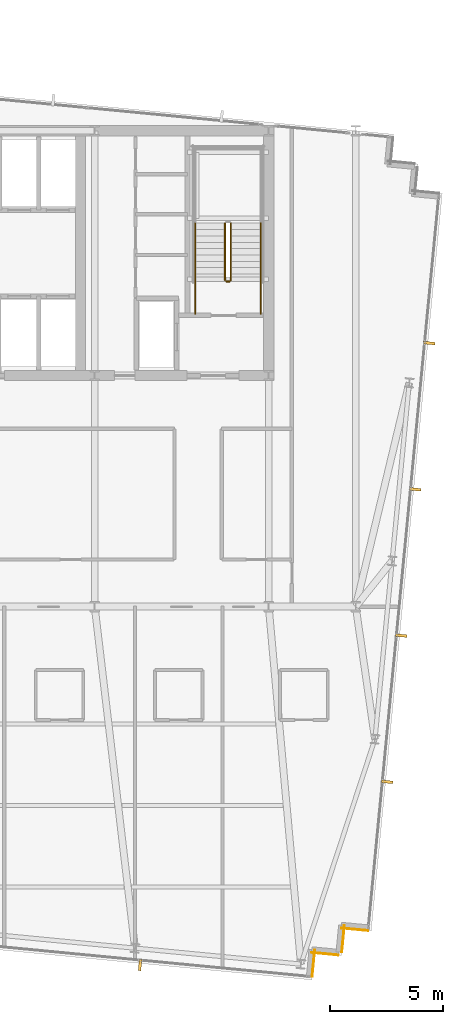
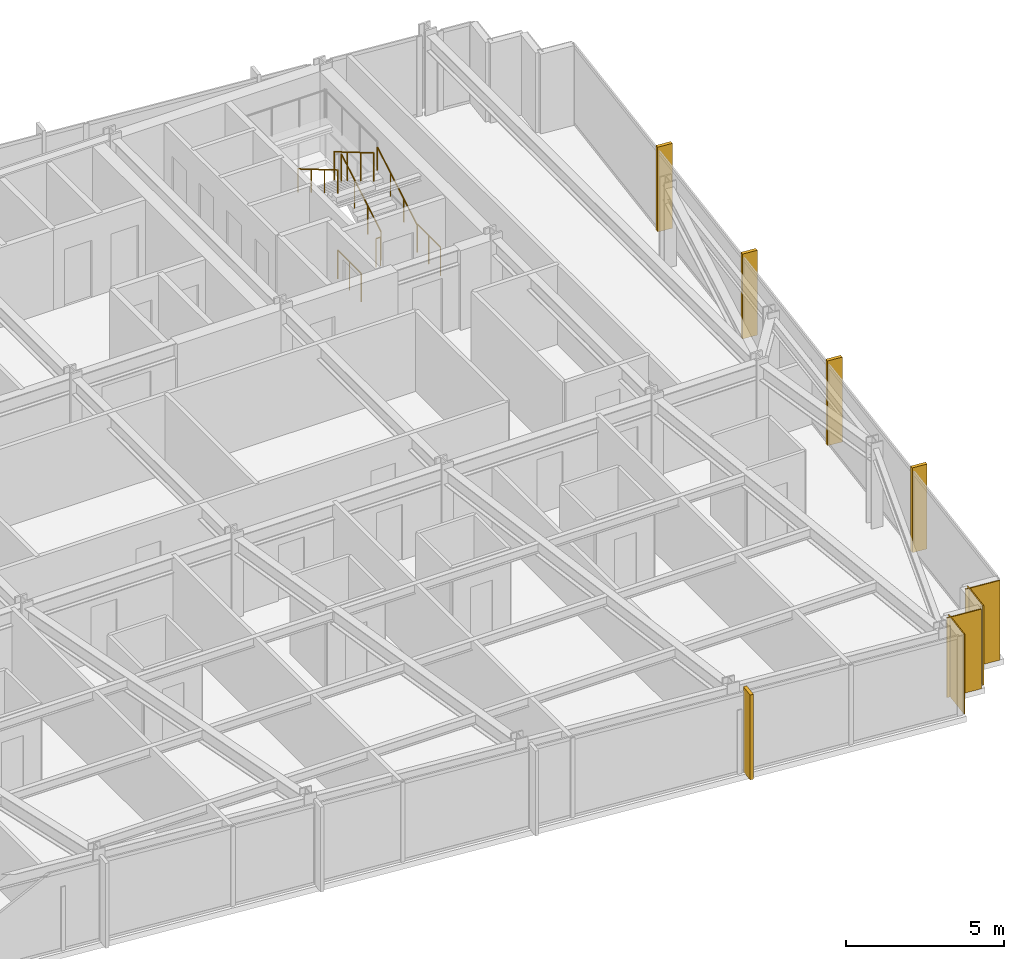
# One storey, part 35 of 37: 7 railings, 5 shading devices, 4 coverings.
"""IFC4 building model written with IfcOpenShell, lengths in metres."""

from ifc_helpers import new_model, si_unit, direction, frame, frame_2d, origin, origin_2d, place, context, subcontext, project, spatial, rectangle, circle, extrude, material, layer, layer_set, type_object, element, save


model = new_model("IFC4")

# Units and contexts
model_context = context("Model", 3, precision=1e-05, world=origin(), true_north=direction((0.0, 1.0)))
body_context = subcontext(model_context, "Body", "Model", "MODEL_VIEW")
ifc_project = project(units=[si_unit("LENGTHUNIT", "METRE"), si_unit("AREAUNIT", "SQUARE_METRE"), si_unit("VOLUMEUNIT", "CUBIC_METRE"), si_unit("PLANEANGLEUNIT", "RADIAN"), si_unit("MASSUNIT", "GRAM", prefix="KILO")], contexts=[model_context])

# Site, building, storey
site_placement = place(None, origin())
site = spatial("IfcSite", under=ifc_project, at=site_placement, CompositionType="ELEMENT")
building_placement = place(site_placement, origin())
building = spatial("IfcBuilding", under=site, at=building_placement, Name="Yelkora Congress Tower", CompositionType="ELEMENT")
storey_placement = place(building_placement, frame((0.0, 0.0, 158.89990234375)))
storey = spatial("IfcBuildingStorey", under=building, at=storey_placement, Name="L43", CompositionType="ELEMENT", Elevation=158.89990234375)

# Coverings
ifc_material_1 = material(Name="Anatolian bush-hammered limestone", Category="masonry")
ifc_layer_1 = layer(ifc_material_1, 0.0400390625)
ifc_layer_set_1 = layer_set([ifc_layer_1], Name="Anatolian bush-hammered limestone")
covering_type = type_object("IfcCoveringType", Name="COV-CLAD-SPANDREL-40", PredefinedType="CLADDING", material=ifc_layer_set_1)
covering_1_placement = place(storey_placement, frame((58.1474609375, 10.898681640625, 0.0), z_axis=(0.0, 0.0, 1.0), x_axis=(-0.995379537303, 0.096018626938, 0.0)))
element("IfcCovering", 1, at=covering_1_placement, inside=storey, type_object=covering_type, Name="L43 Anatolian Limestone Cladding EW-L43-SR16", PredefinedType="CLADDING", context=body_context, shape_type="SweptSolid", body=[
    extrude(rectangle(XDim=1.2001953125, YDim=0.0400390625, at=frame_2d((0.60009765625, 0.0))), origin(), (0.0, 0.0, 1.0), 3.080078125),
])
covering_2_placement = place(storey_placement, frame((57.10009765625, 11.13525390625, 0.0), z_axis=(0.0, 0.0, 1.0), x_axis=(-0.095836473879, -0.995397091755, 0.0)))
element("IfcCovering", 2, at=covering_2_placement, inside=storey, type_object=covering_type, Name="L43 Anatolian Limestone Cladding EW-L43-SR17", PredefinedType="CLADDING", context=body_context, shape_type="SweptSolid", body=[
    extrude(rectangle(XDim=1.199951171875, YDim=0.0400390625, at=frame_2d((0.60009765625, 0.0))), origin(), (0.0, 0.0, 1.0), 3.080078125),
])
for number, where, z_axis, x_axis, name in (
    (3, (56.837890625, 9.8193359375, 0.0), (0.0, 0.0, 1.0), (-0.995398960025, 0.095817067274, 0.0), "L43 Anatolian Limestone Cladding EW-L43-SR18"),
    (4, (55.790771484375, 10.055908203125, 0.0), (0.0, 0.0, 1.0), (-0.095817067274, -0.995398960025, 0.0), "L43 Anatolian Limestone Cladding EW-L43-SR19"),
):
    element("IfcCovering", number, at=place(storey_placement, frame(where, z_axis=z_axis, x_axis=x_axis)), inside=storey, type_object=covering_type, Name=name, PredefinedType="CLADDING", context=body_context, shape_type="SweptSolid", body=[
        extrude(rectangle(XDim=1.2001953125, YDim=0.0400390625, at=frame_2d((0.60009765625, 0.0))), origin(), (0.0, 0.0, 1.0), 3.080078125),
    ])

# Railings
ifc_material_2 = material(Name="Painted galvanised steel stair well guard with vertical infill", Category="steel")
ifc_layer_2 = layer(ifc_material_2, 0.06005859375)
ifc_layer_set_2 = layer_set([ifc_layer_2], Name="Painted galvanised steel stair well guard with vertical infill")
railing_type_1 = type_object("IfcRailingType", Name="RAIL-STAIR-GUARD-1120", PredefinedType="GUARDRAIL", material=ifc_layer_set_2)
railing_1_placement = place(storey_placement, frame((52.090087890625, 39.60009765625, 0.1650390625)))
element("IfcRailing", 5, at=railing_1_placement, inside=storey, type_object=railing_type_1, Name="ST-02 L43 Stair Well Guardrail 1", PredefinedType="GUARDRAIL", context=body_context, shape_type="SweptSolid", body=[
    extrude(circle(Radius=0.02392578125, at=origin_2d()), frame((0.0, 0.0, 1.09619140625), z_axis=(0.0, 0.86152411907, 0.507716645641), x_axis=(-1.0, 0.0, 0.0)), (0.0, 0.0, 1.0), 2.925048828125),
    extrude(circle(Radius=0.02099609375, at=origin_2d()), origin(), (0.0, 0.0, 1.0), 1.072021484375),
    extrude(circle(Radius=0.02099609375, at=origin_2d()), frame((0.0, 0.840087890625, 0.4951171875)), (0.0, 0.0, 1.0), 1.072021484375),
    extrude(circle(Radius=0.02099609375, at=origin_2d()), frame((0.0, 1.679931640625, 0.989990234375)), (0.0, 0.0, 1.0), 1.072021484375),
    extrude(circle(Radius=0.02099609375, at=origin_2d()), frame((0.0, 2.52001953125, 1.485107421875)), (0.0, 0.0, 1.0), 1.072021484375),
])
railing_2_placement = place(storey_placement, frame((51.830078125, 42.1201171875, 1.815185546875)))
element("IfcRailing", 6, at=railing_2_placement, inside=storey, type_object=railing_type_1, Name="ST-02 L43 Stair Well Guardrail 6", PredefinedType="GUARDRAIL", context=body_context, shape_type="SweptSolid", body=[
    extrude(circle(Radius=0.02392578125, at=origin_2d()), frame((0.0, 0.0, 1.09619140625), z_axis=(0.0, -0.861560626758, 0.507654692109), x_axis=(1.0, 0.0, 0.0)), (0.0, 0.0, 1.0), 2.925048828125),
    extrude(circle(Radius=0.02099609375, at=origin_2d()), origin(), (0.0, 0.0, 1.0), 1.072021484375),
    extrude(circle(Radius=0.02099609375, at=origin_2d()), frame((0.0, -0.840087890625, 0.494873046875)), (0.0, 0.0, 1.0), 1.072021484375),
    extrude(circle(Radius=0.02099609375, at=origin_2d()), frame((0.0, -1.679931640625, 0.989990234375)), (0.0, 0.0, 1.0), 1.072021484375),
    extrude(circle(Radius=0.02099609375, at=origin_2d()), frame((0.0, -2.52001953125, 1.48486328125)), (0.0, 0.0, 1.0), 1.072021484375),
])
railing_3_placement = place(storey_placement, frame((52.0400390625, 39.550048828125, 0.0)))
element("IfcRailing", 7, at=railing_3_placement, inside=storey, type_object=railing_type_1, Name="ST-02 L43 Stair Well Guardrail 7", PredefinedType="GUARDRAIL", context=body_context, shape_type="SweptSolid", body=[
    extrude(circle(Radius=0.02392578125, at=origin_2d()), frame((0.0, 0.0, 1.09619140625), z_axis=(-1.0, 0.0, 0.0), x_axis=(0.0, -1.0, 0.0)), (0.0, 0.0, 1.0), 0.16015625),
    extrude(circle(Radius=0.02099609375, at=origin_2d()), origin(), (0.0, 0.0, 1.0), 1.072021484375),
    extrude(circle(Radius=0.02099609375, at=origin_2d()), frame((-0.16015625, 0.0, 0.0)), (0.0, 0.0, 1.0), 1.072021484375),
])
for number, where, name in (
    (8, (53.409912109375, 38.1201171875, 0.0), "ST-02 L43 Stair Well Guardrail 8"),
    (9, (50.510009765625, 38.1201171875, 0.0), "ST-02 L43 Stair Well Guardrail 9"),
):
    element("IfcRailing", number, at=place(storey_placement, frame(where)), inside=storey, type_object=railing_type_1, Name=name, PredefinedType="GUARDRAIL", context=body_context, shape_type="SweptSolid", body=[
        extrude(circle(Radius=0.02392578125, at=origin_2d()), frame((0.0, 0.0, 1.09619140625), z_axis=(0.0, 1.0, 0.0), x_axis=(-1.0, 0.0, 0.0)), (0.0, 0.0, 1.0), 1.47998046875),
        extrude(circle(Radius=0.02099609375, at=origin_2d()), origin(), (0.0, 0.0, 1.0), 1.072021484375),
        extrude(circle(Radius=0.02099609375, at=origin_2d()), frame((0.0, 0.739990234375, 0.0)), (0.0, 0.0, 1.0), 1.072021484375),
        extrude(circle(Radius=0.02099609375, at=origin_2d()), frame((0.0, 1.47998046875, 0.0)), (0.0, 0.0, 1.0), 1.072021484375),
    ])
ifc_material_3 = material(Name="Brushed stainless steel tubular handrail", Category="steel")
ifc_layer_3 = layer(ifc_material_3, 0.050048828125)
ifc_layer_set_3 = layer_set([ifc_layer_3], Name="Brushed stainless steel tubular handrail")
railing_type_2 = type_object("IfcRailingType", Name="RAIL-STAIR-HAND-920", PredefinedType="HANDRAIL", material=ifc_layer_set_3)
railing_4_placement = place(storey_placement, frame((53.409912109375, 39.60009765625, 0.1650390625)))
element("IfcRailing", 10, at=railing_4_placement, inside=storey, type_object=railing_type_2, Name="ST-02 L43 Pitch Handrail 1", PredefinedType="HANDRAIL", context=body_context, shape_type="SweptSolid", body=[
    extrude(circle(Radius=0.02392578125, at=origin_2d()), frame((0.0, 0.0, 0.89599609375), z_axis=(0.0, 0.86152411907, 0.507716645641), x_axis=(-1.0, 0.0, 0.0)), (0.0, 0.0, 1.0), 2.925048828125),
    extrude(circle(Radius=0.02099609375, at=origin_2d()), origin(), (0.0, 0.0, 1.0), 0.871826171875),
    extrude(circle(Radius=0.02099609375, at=origin_2d()), frame((0.0, 0.840087890625, 0.4951171875)), (0.0, 0.0, 1.0), 0.871826171875),
    extrude(circle(Radius=0.02099609375, at=origin_2d()), frame((0.0, 1.679931640625, 0.989990234375)), (0.0, 0.0, 1.0), 0.871826171875),
    extrude(circle(Radius=0.02099609375, at=origin_2d()), frame((0.0, 2.52001953125, 1.485107421875)), (0.0, 0.0, 1.0), 0.871826171875),
])
railing_5_placement = place(storey_placement, frame((50.510009765625, 42.1201171875, 1.815185546875)))
element("IfcRailing", 11, at=railing_5_placement, inside=storey, type_object=railing_type_2, Name="ST-02 L43 Pitch Handrail 2", PredefinedType="HANDRAIL", context=body_context, shape_type="SweptSolid", body=[
    extrude(circle(Radius=0.02392578125, at=origin_2d()), frame((0.0, 0.0, 0.89599609375), z_axis=(0.0, -0.861560626758, 0.507654692109), x_axis=(1.0, 0.0, 0.0)), (0.0, 0.0, 1.0), 2.925048828125),
    extrude(circle(Radius=0.02099609375, at=origin_2d()), origin(), (0.0, 0.0, 1.0), 0.871826171875),
    extrude(circle(Radius=0.02099609375, at=origin_2d()), frame((0.0, -0.840087890625, 0.494873046875)), (0.0, 0.0, 1.0), 0.871826171875),
    extrude(circle(Radius=0.02099609375, at=origin_2d()), frame((0.0, -1.679931640625, 0.989990234375)), (0.0, 0.0, 1.0), 0.871826171875),
    extrude(circle(Radius=0.02099609375, at=origin_2d()), frame((0.0, -2.52001953125, 1.48486328125)), (0.0, 0.0, 1.0), 0.871826171875),
])

# Shading devices
ifc_material_4 = material(Name="Champagne anodised aluminium", Category="aluminium")
ifc_layer_4 = layer(ifc_material_4, 3.300048828125)
ifc_layer_set_4 = layer_set([ifc_layer_4], Name="Champagne anodised aluminium")
shading_device_type = type_object("IfcShadingDeviceType", Name="SHD-FIN-ALU-520", PredefinedType="USERDEFINED", material=ifc_layer_set_4)
for number, where, z_axis, x_axis, name in (
    (12, (60.84521484375, 36.83056640625, -0.02978515625), (0.0, 0.0, 1.0), (-0.09584575252, -0.995396198367, 0.0), "L43 Vertical Anodised Solar Fin 15-1"),
    (13, (60.223876953125, 30.37646484375, -0.02978515625), (0.0, 0.0, 1.0), (-0.09584575252, -0.995396198367, 0.0), "L43 Vertical Anodised Solar Fin 15-2"),
    (14, (59.602294921875, 23.92236328125, -0.02978515625), (0.0, 0.0, 1.0), (-0.09584575252, -0.995396198367, 0.0), "L43 Vertical Anodised Solar Fin 15-3"),
    (15, (58.98095703125, 17.46826171875, -0.02978515625), (0.0, 0.0, 1.0), (-0.09584575252, -0.995396198367, 0.0), "L43 Vertical Anodised Solar Fin 15-4"),
    (16, (48.082275390625, 9.3916015625, -0.02978515625), (0.0, 0.0, 1.0), (-0.995396198367, 0.09584575252, 0.0), "L43 Vertical Anodised Solar Fin 20-1"),
):
    element("IfcShadingDevice", number, at=place(storey_placement, frame(where, z_axis=z_axis, x_axis=x_axis)), inside=storey, type_object=shading_device_type, Name=name, ObjectType="FIN", PredefinedType="USERDEFINED", context=body_context, shape_type="SweptSolid", body=[
        extrude(rectangle(XDim=0.1201171875, YDim=0.52001953125, at=origin_2d()), origin(), (0.0, 0.0, 1.0), 3.280029296875),
    ])

save(model, "model.ifc")
